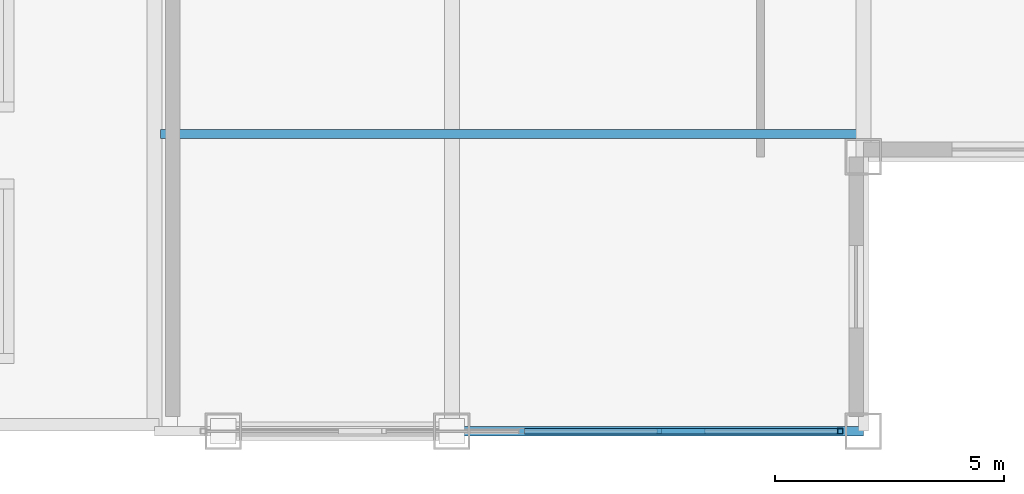
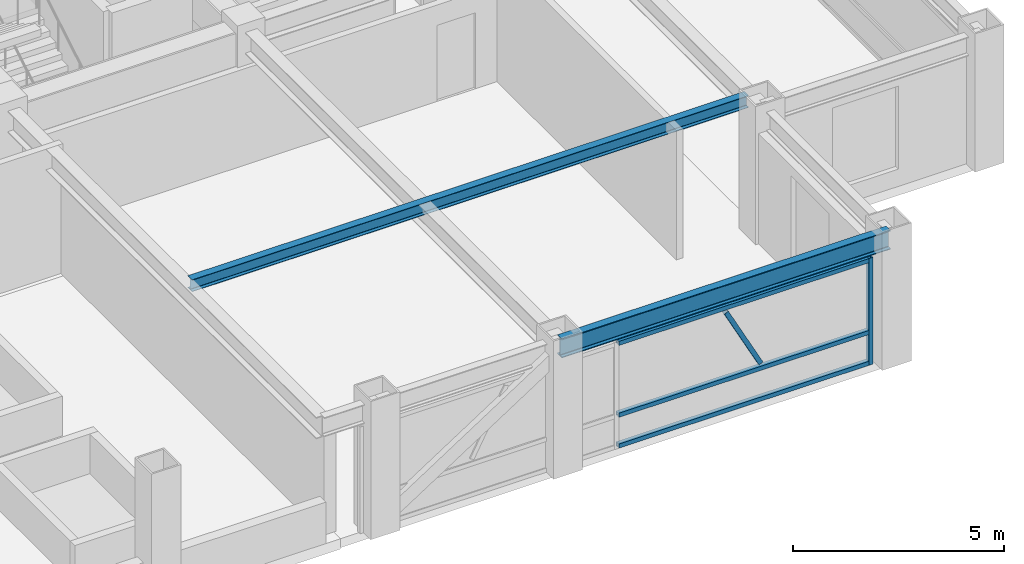
# One storey, part 10 of 29: 5 members, 2 beams, 1 element without a shape of its own.
"""IFC4 building model written with IfcOpenShell, lengths in metres."""

from ifc_helpers import new_model, si_unit, direction, frame, origin, origin_2d, place, context, subcontext, project, spatial, hollow_rectangle, i_section, extrude, source, transform, mapped, material, material_profile, profile_set, type_object, element, aggregate, save


model = new_model("IFC4")

# Units and contexts
model_context = context("Model", 3, precision=1e-05, world=origin(), true_north=direction((0.0, 1.0)))
body_context = subcontext(model_context, "Body", "Model", "MODEL_VIEW")
ifc_project = project(units=[si_unit("LENGTHUNIT", "METRE"), si_unit("AREAUNIT", "SQUARE_METRE"), si_unit("VOLUMEUNIT", "CUBIC_METRE"), si_unit("PLANEANGLEUNIT", "RADIAN"), si_unit("MASSUNIT", "GRAM", prefix="KILO")], contexts=[model_context])

# Site, building, storey
site_placement = place(None, origin())
site = spatial("IfcSite", under=ifc_project, at=site_placement, CompositionType="ELEMENT")
building_placement = place(site_placement, origin())
building = spatial("IfcBuilding", under=site, at=building_placement, Name="Khorayat Bourse Tower", CompositionType="ELEMENT")
storey_placement = place(building_placement, frame((0.0, 0.0, 346.300048828125)))
storey = spatial("IfcBuildingStorey", under=building, at=storey_placement, Name="L82", CompositionType="ELEMENT", Elevation=346.300048828125)

# Beams
ifc_material_1 = material(Name="Steel ASTM A992 Grade 50", Category="steel")
ifc_material_profile_1 = material_profile(ifc_material_1, i_section(OverallWidth=0.214111328125, OverallDepth=0.549072265625, WebThickness=0.0146484375, FlangeThickness=0.023681640625, FilletRadius=0.013916015625, at=origin_2d()), Name="W530X138")
ifc_profile_set_1 = profile_set([ifc_material_profile_1], Name="Steel ASTM A992 Grade 50")
beam_type_1 = type_object("IfcBeamType", Name="BM-SPAN-530", PredefinedType="SPANDREL", material=ifc_profile_set_1)
shared_shape_1 = source(origin(), body_context, "Body", "SweptSolid", [
    extrude(i_section(OverallWidth=0.214111328125, OverallDepth=0.549072265625, WebThickness=0.0146484375, FlangeThickness=0.023681640625, FilletRadius=0.013916015625, at=origin_2d()), origin(), (0.0, 0.0, 1.0), 9.0),
])
beam_1_placement = place(storey_placement, frame((11.0, -26.0, 3.46533203125), z_axis=(1.0, 0.0, 0.0), x_axis=(0.0, 1.0, 0.0)))
element("IfcBeam", 1, at=beam_1_placement, inside=storey, type_object=beam_type_1, Name="L82 BM-SPAN-530 BM-L82-SPN-026", PredefinedType="SPANDREL", context=body_context, shape_type="MappedRepresentation", body=[
    mapped(shared_shape_1, transform((0.0, 0.0, 0.0), scale=1.0)),
])
ifc_material_profile_2 = material_profile(ifc_material_1, i_section(OverallWidth=0.202880859375, OverallDepth=0.346923828125, WebThickness=0.0078125, FlangeThickness=0.013427734375, FilletRadius=0.010009765625, at=origin_2d()), Name="W360X64")
ifc_profile_set_2 = profile_set([ifc_material_profile_2], Name="Steel ASTM A992 Grade 50")
beam_type_2 = type_object("IfcBeamType", Name="BM-JOIST-360", PredefinedType="JOIST", material=ifc_profile_set_2)
shared_shape_2 = source(origin(), body_context, "Body", "SweptSolid", [
    extrude(i_section(OverallWidth=0.202880859375, OverallDepth=0.346923828125, WebThickness=0.0078125, FlangeThickness=0.013427734375, FilletRadius=0.010009765625, at=origin_2d()), origin(), (0.0, 0.0, 1.0), 15.240234375),
])
beam_2_placement = place(storey_placement, frame((4.6298828125, -19.5, 3.56640625), z_axis=(1.0, 0.0, 0.0), x_axis=(0.0, 1.0, 0.0)))
element("IfcBeam", 2, at=beam_2_placement, inside=storey, type_object=beam_type_2, Name="L82 BM-JOIST-360 BM-L82-JSTX-076", PredefinedType="JOIST", context=body_context, shape_type="MappedRepresentation", body=[
    mapped(shared_shape_2, transform((0.0, 0.0, 0.0), scale=1.0)),
])

# Curtain wall, members
ifc_material_2 = material(Name="Aluminium EN AW-6063 T6", Category="aluminium")
curtain_wall_type = type_object("IfcCurtainWallType", Name="CW-SYS-06", PredefinedType="NOTDEFINED", material=ifc_material_2)
curtain_wall_placement = place(storey_placement, origin())
curtain_wall = element("IfcCurtainWall", 3, at=curtain_wall_placement, inside=storey, type_object=curtain_wall_type, Name="L82 Curtain Wall CW-L82-S2", PredefinedType="NOTDEFINED")
ifc_material_profile_3 = material_profile(ifc_material_2, hollow_rectangle(XDim=0.1201171875, YDim=0.1201171875, WallThickness=0.0048828125, at=origin_2d()), Name="ALU 120x120x5")
ifc_profile_set_3 = profile_set([ifc_material_profile_3], Name="Aluminium EN AW-6063 T6")
member_type_1 = type_object("IfcMemberType", Name="CWM-VERT-120", PredefinedType="MULLION", material=ifc_profile_set_3)
shared_shape_3 = source(origin(), body_context, "Body", "SweptSolid", [
    extrude(hollow_rectangle(XDim=0.1201171875, YDim=0.1201171875, WallThickness=0.0048828125, at=origin_2d()), origin(), (0.0, 0.0, 1.0), 3.08984375),
])
member_1_placement = place(storey_placement, frame((19.489990234375, -26.0, 0.0), z_axis=(0.0, 0.0, 1.0), x_axis=(0.0, 1.0, 0.0)))
member_1 = element("IfcMember", 4, at=member_1_placement, type_object=member_type_1, Name="CW-L82-S2 Vertical Mullion 3", PredefinedType="MULLION", context=body_context, shape_type="MappedRepresentation", body=[
    mapped(shared_shape_3, transform((0.0, 0.0, 0.0), scale=1.0)),
])
ifc_material_profile_4 = material_profile(ifc_material_2, hollow_rectangle(XDim=0.1201171875, YDim=0.1201171875, WallThickness=0.0048828125, at=origin_2d()), Name="ALU 120x120x5")
ifc_profile_set_4 = profile_set([ifc_material_profile_4], Name="Aluminium EN AW-6063 T6")
member_type_2 = type_object("IfcMemberType", Name="CWM-DIAG-120", PredefinedType="MULLION", material=ifc_profile_set_4)
shared_shape_4 = source(origin(), body_context, "Body", "SweptSolid", [
    extrude(hollow_rectangle(XDim=0.1201171875, YDim=0.1201171875, WallThickness=0.0048828125, at=origin_2d()), origin(), (0.0, 0.0, 1.0), 2.0341796875),
])
member_2_placement = place(storey_placement, frame((16.481201171875, -26.0, 1.08984375), z_axis=(-0.465696964104, 0.0, 0.884944256789), x_axis=(0.0, -1.0, 0.0)))
member_2 = element("IfcMember", 5, at=member_2_placement, type_object=member_type_2, Name="CW-L82-S2 Faceted Diagonal Mullion 2", PredefinedType="MULLION", context=body_context, shape_type="MappedRepresentation", body=[
    mapped(shared_shape_4, transform((0.0, 0.0, 0.0), scale=1.0)),
])
ifc_material_profile_5 = material_profile(ifc_material_2, hollow_rectangle(XDim=0.1201171875, YDim=0.1201171875, WallThickness=0.0048828125, at=origin_2d()), Name="ALU 120x120x5")
ifc_profile_set_5 = profile_set([ifc_material_profile_5], Name="Aluminium EN AW-6063 T6")
member_type_3 = type_object("IfcMemberType", Name="CWT-HORZ-120", PredefinedType="USERDEFINED", material=ifc_profile_set_5)
shared_shape_5 = source(origin(), body_context, "Body", "SweptSolid", [
    extrude(hollow_rectangle(XDim=0.1201171875, YDim=0.1201171875, WallThickness=0.0048828125, at=origin_2d()), origin(), (0.0, 0.0, 1.0), 6.844970703125),
])
member_3_placement = place(storey_placement, frame((12.5849609375, -26.0, 0.06005859375), z_axis=(1.0, 0.0, 0.0), x_axis=(0.0, 1.0, 0.0)))
member_3 = element("IfcMember", 6, at=member_3_placement, type_object=member_type_3, Name="CW-L82-S2 Horizontal Transom 2-1", ObjectType="TRANSOM", PredefinedType="USERDEFINED", context=body_context, shape_type="MappedRepresentation", body=[
    mapped(shared_shape_5, transform((0.0, 0.0, 0.0), scale=1.0)),
])
member_4_placement = place(storey_placement, frame((12.5849609375, -26.0, 0.949951171875), z_axis=(1.0, 0.0, 0.0), x_axis=(0.0, 1.0, 0.0)))
member_4 = element("IfcMember", 7, at=member_4_placement, type_object=member_type_3, Name="CW-L82-S2 Horizontal Transom 2-2", ObjectType="TRANSOM", PredefinedType="USERDEFINED", context=body_context, shape_type="MappedRepresentation", body=[
    mapped(shared_shape_5, transform((0.0, 0.0, 0.0), scale=1.0)),
])
member_5_placement = place(storey_placement, frame((12.5849609375, -26.0, 3.030029296875), z_axis=(1.0, 0.0, 0.0), x_axis=(0.0, 1.0, 0.0)))
member_5 = element("IfcMember", 8, at=member_5_placement, type_object=member_type_3, Name="CW-L82-S2 Horizontal Transom 2-3", ObjectType="TRANSOM", PredefinedType="USERDEFINED", context=body_context, shape_type="MappedRepresentation", body=[
    mapped(shared_shape_5, transform((0.0, 0.0, 0.0), scale=1.0)),
])
aggregate(curtain_wall, [member_1, member_3, member_4, member_5, member_2])

save(model, "model.ifc")
